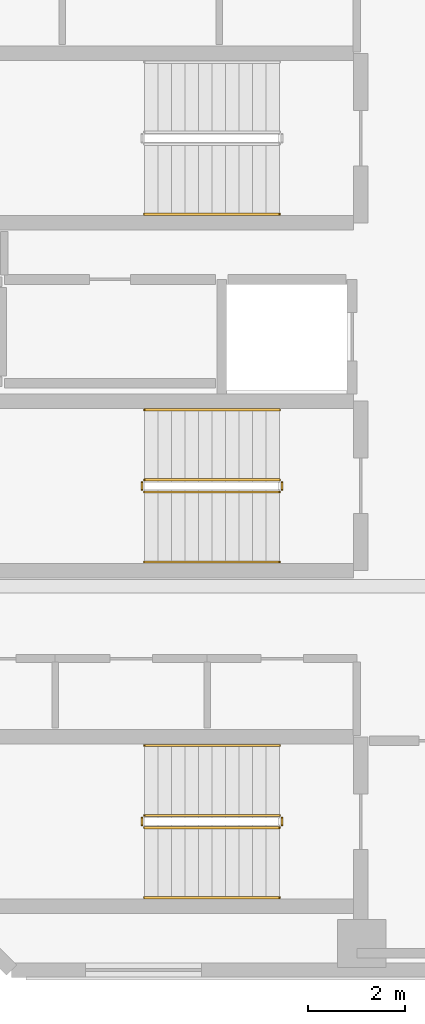
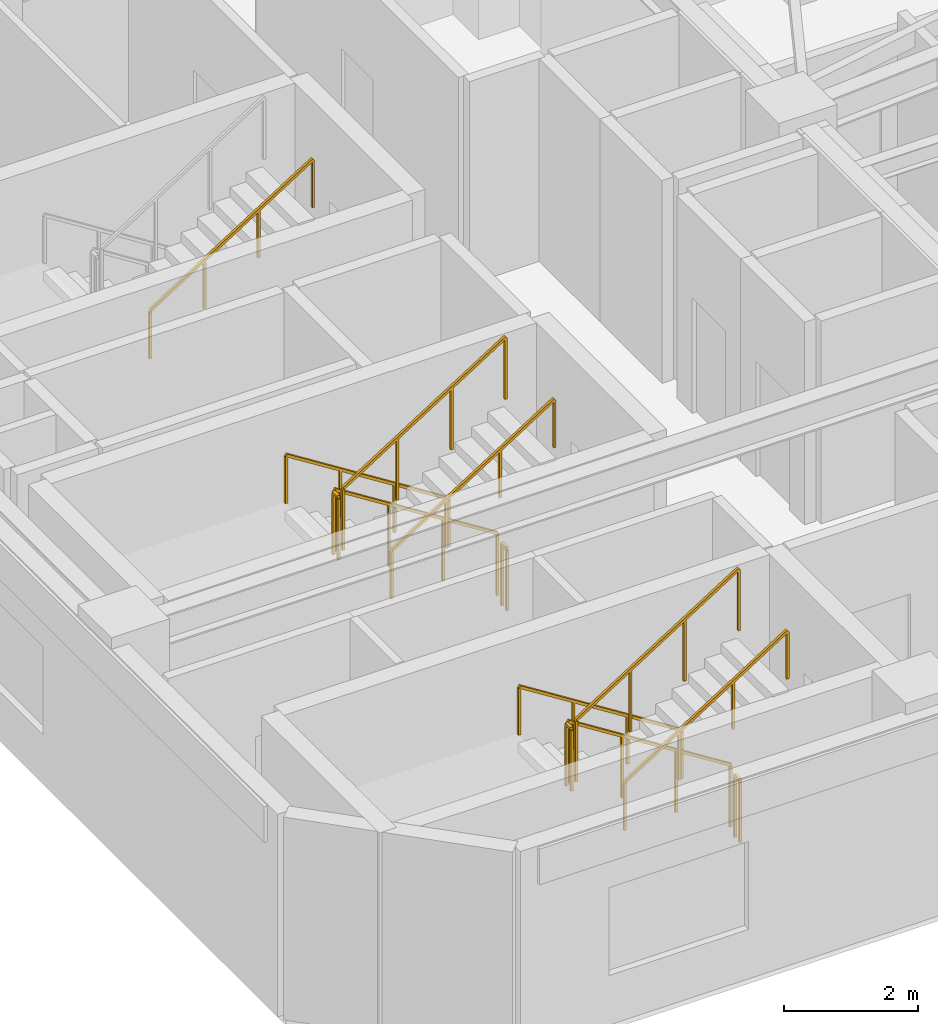
# One storey, part 6 of 11: 13 railings.
"""IFC4 building model written with IfcOpenShell, lengths in metres."""

from ifc_helpers import new_model, si_unit, direction, frame, origin, origin_2d, place, context, subcontext, project, spatial, rectangle, extrude, material, type_object, element, save


model = new_model("IFC4")

# Units and contexts
model_context = context("Model", 3, precision=1e-05, world=origin(), true_north=direction((0.0, 1.0)))
body_context = subcontext(model_context, "Body", "Model", "MODEL_VIEW")
ifc_project = project(units=[si_unit("LENGTHUNIT", "METRE"), si_unit("AREAUNIT", "SQUARE_METRE"), si_unit("VOLUMEUNIT", "CUBIC_METRE"), si_unit("PLANEANGLEUNIT", "RADIAN"), si_unit("MASSUNIT", "GRAM", prefix="KILO")], contexts=[model_context])

# Site, building, storey
site_placement = place(None, origin())
site = spatial("IfcSite", under=ifc_project, at=site_placement, CompositionType="ELEMENT")
building_placement = place(site_placement, origin())
building = spatial("IfcBuilding", under=site, at=building_placement, Name="Mawjaban Terraces University", CompositionType="ELEMENT")
storey_placement = place(building_placement, frame((0.0, 0.0, 214.800048828125)))
storey = spatial("IfcBuildingStorey", under=building, at=storey_placement, Name="L52", CompositionType="ELEMENT", Elevation=214.800048828125)

# Railings
ifc_material_1 = material(Name="Brushed stainless steel 316", Category="steel")
railing_type_1 = type_object("IfcRailingType", Name="StairWallHandrail_900", PredefinedType="HANDRAIL", material=ifc_material_1)
railing_1_placement = place(storey_placement, frame((30.050048828125, 4.64990234375, 0.17724609375)))
element("IfcRailing", 1, at=railing_1_placement, inside=storey, type_object=railing_type_1, Name="L52 ST-1 stair handrail 1", PredefinedType="HANDRAIL", context=body_context, shape_type="SweptSolid", body=[
    extrude(rectangle(XDim=0.048095703125, YDim=0.048095703125, at=origin_2d()), frame((0.0, 0.0, 0.8759765625), z_axis=(-0.844908973607, 0.0, 0.534910110503), x_axis=(0.0, -1.0, 0.0)), (0.0, 0.0, 1.0), 3.31396484375),
    extrude(rectangle(XDim=0.0419921875, YDim=0.0419921875, at=origin_2d()), origin(), (0.0, 0.0, 1.0), 0.851806640625),
    extrude(rectangle(XDim=0.0419921875, YDim=0.0419921875, at=origin_2d()), frame((-0.933349609375, 0.0, 0.5908203125)), (0.0, 0.0, 1.0), 0.851806640625),
    extrude(rectangle(XDim=0.0419921875, YDim=0.0419921875, at=origin_2d()), frame((-1.86669921875, 0.0, 1.181884765625)), (0.0, 0.0, 1.0), 0.851806640625),
    extrude(rectangle(XDim=0.0419921875, YDim=0.0419921875, at=origin_2d()), frame((-2.800048828125, 0.0, 1.772705078125)), (0.0, 0.0, 1.0), 0.851806640625),
])
for number, where, name in (
    (2, (27.25, 1.5, 2.127197265625), "L52 ST-1 stair handrail 2"),
    (3, (27.25, 15.64990234375, 2.127197265625), "L52 ST-2 stair handrail 2"),
):
    element("IfcRailing", number, at=place(storey_placement, frame(where)), inside=storey, type_object=railing_type_1, Name=name, PredefinedType="HANDRAIL", context=body_context, shape_type="SweptSolid", body=[
        extrude(rectangle(XDim=0.048095703125, YDim=0.048095703125, at=origin_2d()), frame((0.0, 0.0, 0.8759765625), z_axis=(0.844908973607, 0.0, 0.534910110503), x_axis=(0.0, 1.0, 0.0)), (0.0, 0.0, 1.0), 3.31396484375),
        extrude(rectangle(XDim=0.0419921875, YDim=0.0419921875, at=origin_2d()), origin(), (0.0, 0.0, 1.0), 0.851806640625),
        extrude(rectangle(XDim=0.0419921875, YDim=0.0419921875, at=origin_2d()), frame((0.933349609375, 0.0, 0.5908203125)), (0.0, 0.0, 1.0), 0.851806640625),
        extrude(rectangle(XDim=0.0419921875, YDim=0.0419921875, at=origin_2d()), frame((1.86669921875, 0.0, 1.181884765625)), (0.0, 0.0, 1.0), 0.851806640625),
        extrude(rectangle(XDim=0.0419921875, YDim=0.0419921875, at=origin_2d()), frame((2.800048828125, 0.0, 1.772705078125)), (0.0, 0.0, 1.0), 0.851806640625),
    ])
railing_2_placement = place(storey_placement, frame((30.050048828125, 11.60009765625, 0.17724609375)))
element("IfcRailing", 4, at=railing_2_placement, inside=storey, type_object=railing_type_1, Name="L52 ST-3 stair handrail 1", PredefinedType="HANDRAIL", context=body_context, shape_type="SweptSolid", body=[
    extrude(rectangle(XDim=0.048095703125, YDim=0.048095703125, at=origin_2d()), frame((0.0, 0.0, 0.8759765625), z_axis=(-0.844908973607, 0.0, 0.534910110503), x_axis=(0.0, -1.0, 0.0)), (0.0, 0.0, 1.0), 3.31396484375),
    extrude(rectangle(XDim=0.0419921875, YDim=0.0419921875, at=origin_2d()), origin(), (0.0, 0.0, 1.0), 0.851806640625),
    extrude(rectangle(XDim=0.0419921875, YDim=0.0419921875, at=origin_2d()), frame((-0.933349609375, 0.0, 0.5908203125)), (0.0, 0.0, 1.0), 0.851806640625),
    extrude(rectangle(XDim=0.0419921875, YDim=0.0419921875, at=origin_2d()), frame((-1.86669921875, 0.0, 1.181884765625)), (0.0, 0.0, 1.0), 0.851806640625),
    extrude(rectangle(XDim=0.0419921875, YDim=0.0419921875, at=origin_2d()), frame((-2.800048828125, 0.0, 1.772705078125)), (0.0, 0.0, 1.0), 0.851806640625),
])
railing_3_placement = place(storey_placement, frame((27.25, 8.449951171875, 2.127197265625)))
element("IfcRailing", 5, at=railing_3_placement, inside=storey, type_object=railing_type_1, Name="L52 ST-3 stair handrail 2", PredefinedType="HANDRAIL", context=body_context, shape_type="SweptSolid", body=[
    extrude(rectangle(XDim=0.048095703125, YDim=0.048095703125, at=origin_2d()), frame((0.0, 0.0, 0.8759765625), z_axis=(0.844908973607, 0.0, 0.534910110503), x_axis=(0.0, 1.0, 0.0)), (0.0, 0.0, 1.0), 3.31396484375),
    extrude(rectangle(XDim=0.0419921875, YDim=0.0419921875, at=origin_2d()), origin(), (0.0, 0.0, 1.0), 0.851806640625),
    extrude(rectangle(XDim=0.0419921875, YDim=0.0419921875, at=origin_2d()), frame((0.933349609375, 0.0, 0.5908203125)), (0.0, 0.0, 1.0), 0.851806640625),
    extrude(rectangle(XDim=0.0419921875, YDim=0.0419921875, at=origin_2d()), frame((1.86669921875, 0.0, 1.181884765625)), (0.0, 0.0, 1.0), 0.851806640625),
    extrude(rectangle(XDim=0.0419921875, YDim=0.0419921875, at=origin_2d()), frame((2.800048828125, 0.0, 1.772705078125)), (0.0, 0.0, 1.0), 0.851806640625),
])
ifc_material_2 = material(Name="Galvanised painted steel S355", Category="steel")
railing_type_2 = type_object("IfcRailingType", Name="StairWellGuard_1150", PredefinedType="BALUSTRADE", material=ifc_material_2)
railing_4_placement = place(storey_placement, frame((30.050048828125, 3.199951171875, 0.17724609375)))
element("IfcRailing", 6, at=railing_4_placement, inside=storey, type_object=railing_type_2, Name="L52 ST-1 stair guard 1", PredefinedType="BALUSTRADE", context=body_context, shape_type="SweptSolid", body=[
    extrude(rectangle(XDim=0.048095703125, YDim=0.048095703125, at=origin_2d()), frame((0.0, 0.0, 1.1259765625), z_axis=(-0.844908973607, 0.0, 0.534910110503), x_axis=(0.0, -1.0, 0.0)), (0.0, 0.0, 1.0), 3.31396484375),
    extrude(rectangle(XDim=0.0419921875, YDim=0.0419921875, at=origin_2d()), origin(), (0.0, 0.0, 1.0), 1.101806640625),
    extrude(rectangle(XDim=0.0419921875, YDim=0.0419921875, at=origin_2d()), frame((-0.933349609375, 0.0, 0.5908203125)), (0.0, 0.0, 1.0), 1.101806640625),
    extrude(rectangle(XDim=0.0419921875, YDim=0.0419921875, at=origin_2d()), frame((-1.86669921875, 0.0, 1.181884765625)), (0.0, 0.0, 1.0), 1.101806640625),
    extrude(rectangle(XDim=0.0419921875, YDim=0.0419921875, at=origin_2d()), frame((-2.800048828125, 0.0, 1.772705078125)), (0.0, 0.0, 1.0), 1.101806640625),
])
railing_5_placement = place(storey_placement, frame((27.199951171875, 3.14990234375, 1.949951171875)))
element("IfcRailing", 7, at=railing_5_placement, inside=storey, type_object=railing_type_2, Name="L52 ST-1 stair guard 2", PredefinedType="BALUSTRADE", context=body_context, shape_type="SweptSolid", body=[
    extrude(rectangle(XDim=0.048095703125, YDim=0.048095703125, at=origin_2d()), frame((0.0, 0.0, 1.1259765625), z_axis=(0.0, -1.0, 0.0), x_axis=(1.0, 0.0, 0.0)), (0.0, 0.0, 1.0), 0.14990234375),
    extrude(rectangle(XDim=0.0419921875, YDim=0.0419921875, at=origin_2d()), origin(), (0.0, 0.0, 1.0), 1.101806640625),
    extrude(rectangle(XDim=0.0419921875, YDim=0.0419921875, at=origin_2d()), frame((0.0, -0.14990234375, 0.0)), (0.0, 0.0, 1.0), 1.101806640625),
])
railing_6_placement = place(storey_placement, frame((27.25, 2.949951171875, 2.127197265625)))
element("IfcRailing", 8, at=railing_6_placement, inside=storey, type_object=railing_type_2, Name="L52 ST-1 stair guard 3", PredefinedType="BALUSTRADE", context=body_context, shape_type="SweptSolid", body=[
    extrude(rectangle(XDim=0.048095703125, YDim=0.048095703125, at=origin_2d()), frame((0.0, 0.0, 1.1259765625), z_axis=(0.844908973607, 0.0, 0.534910110503), x_axis=(0.0, 1.0, 0.0)), (0.0, 0.0, 1.0), 3.31396484375),
    extrude(rectangle(XDim=0.0419921875, YDim=0.0419921875, at=origin_2d()), origin(), (0.0, 0.0, 1.0), 1.101806640625),
    extrude(rectangle(XDim=0.0419921875, YDim=0.0419921875, at=origin_2d()), frame((0.933349609375, 0.0, 0.5908203125)), (0.0, 0.0, 1.0), 1.101806640625),
    extrude(rectangle(XDim=0.0419921875, YDim=0.0419921875, at=origin_2d()), frame((1.86669921875, 0.0, 1.181884765625)), (0.0, 0.0, 1.0), 1.101806640625),
    extrude(rectangle(XDim=0.0419921875, YDim=0.0419921875, at=origin_2d()), frame((2.800048828125, 0.0, 1.772705078125)), (0.0, 0.0, 1.0), 1.101806640625),
])
railing_7_placement = place(storey_placement, frame((30.10009765625, 3.14990234375, 0.0)))
element("IfcRailing", 9, at=railing_7_placement, inside=storey, type_object=railing_type_2, Name="L52 ST-1 stair guard 4", PredefinedType="BALUSTRADE", context=body_context, shape_type="SweptSolid", body=[
    extrude(rectangle(XDim=0.048095703125, YDim=0.048095703125, at=origin_2d()), frame((0.0, 0.0, 1.1259765625), z_axis=(0.0, -1.0, 0.0), x_axis=(1.0, 0.0, 0.0)), (0.0, 0.0, 1.0), 0.14990234375),
    extrude(rectangle(XDim=0.0419921875, YDim=0.0419921875, at=origin_2d()), origin(), (0.0, 0.0, 1.0), 1.101806640625),
    extrude(rectangle(XDim=0.0419921875, YDim=0.0419921875, at=origin_2d()), frame((0.0, -0.14990234375, 0.0)), (0.0, 0.0, 1.0), 1.101806640625),
])
railing_8_placement = place(storey_placement, frame((30.050048828125, 10.14990234375, 0.17724609375)))
element("IfcRailing", 10, at=railing_8_placement, inside=storey, type_object=railing_type_2, Name="L52 ST-3 stair guard 1", PredefinedType="BALUSTRADE", context=body_context, shape_type="SweptSolid", body=[
    extrude(rectangle(XDim=0.048095703125, YDim=0.048095703125, at=origin_2d()), frame((0.0, 0.0, 1.1259765625), z_axis=(-0.844908973607, 0.0, 0.534910110503), x_axis=(0.0, -1.0, 0.0)), (0.0, 0.0, 1.0), 3.31396484375),
    extrude(rectangle(XDim=0.0419921875, YDim=0.0419921875, at=origin_2d()), origin(), (0.0, 0.0, 1.0), 1.101806640625),
    extrude(rectangle(XDim=0.0419921875, YDim=0.0419921875, at=origin_2d()), frame((-0.933349609375, 0.0, 0.5908203125)), (0.0, 0.0, 1.0), 1.101806640625),
    extrude(rectangle(XDim=0.0419921875, YDim=0.0419921875, at=origin_2d()), frame((-1.86669921875, 0.0, 1.181884765625)), (0.0, 0.0, 1.0), 1.101806640625),
    extrude(rectangle(XDim=0.0419921875, YDim=0.0419921875, at=origin_2d()), frame((-2.800048828125, 0.0, 1.772705078125)), (0.0, 0.0, 1.0), 1.101806640625),
])
railing_9_placement = place(storey_placement, frame((27.199951171875, 10.10009765625, 1.949951171875)))
element("IfcRailing", 11, at=railing_9_placement, inside=storey, type_object=railing_type_2, Name="L52 ST-3 stair guard 2", PredefinedType="BALUSTRADE", context=body_context, shape_type="SweptSolid", body=[
    extrude(rectangle(XDim=0.048095703125, YDim=0.048095703125, at=origin_2d()), frame((0.0, 0.0, 1.1259765625), z_axis=(0.0, -1.0, 0.0), x_axis=(1.0, 0.0, 0.0)), (0.0, 0.0, 1.0), 0.150146484375),
    extrude(rectangle(XDim=0.0419921875, YDim=0.0419921875, at=origin_2d()), origin(), (0.0, 0.0, 1.0), 1.101806640625),
    extrude(rectangle(XDim=0.0419921875, YDim=0.0419921875, at=origin_2d()), frame((0.0, -0.150146484375, 0.0)), (0.0, 0.0, 1.0), 1.101806640625),
])
railing_10_placement = place(storey_placement, frame((27.25, 9.89990234375, 2.127197265625)))
element("IfcRailing", 12, at=railing_10_placement, inside=storey, type_object=railing_type_2, Name="L52 ST-3 stair guard 3", PredefinedType="BALUSTRADE", context=body_context, shape_type="SweptSolid", body=[
    extrude(rectangle(XDim=0.048095703125, YDim=0.048095703125, at=origin_2d()), frame((0.0, 0.0, 1.1259765625), z_axis=(0.844908973607, 0.0, 0.534910110503), x_axis=(0.0, 1.0, 0.0)), (0.0, 0.0, 1.0), 3.31396484375),
    extrude(rectangle(XDim=0.0419921875, YDim=0.0419921875, at=origin_2d()), origin(), (0.0, 0.0, 1.0), 1.101806640625),
    extrude(rectangle(XDim=0.0419921875, YDim=0.0419921875, at=origin_2d()), frame((0.933349609375, 0.0, 0.5908203125)), (0.0, 0.0, 1.0), 1.101806640625),
    extrude(rectangle(XDim=0.0419921875, YDim=0.0419921875, at=origin_2d()), frame((1.86669921875, 0.0, 1.181884765625)), (0.0, 0.0, 1.0), 1.101806640625),
    extrude(rectangle(XDim=0.0419921875, YDim=0.0419921875, at=origin_2d()), frame((2.800048828125, 0.0, 1.772705078125)), (0.0, 0.0, 1.0), 1.101806640625),
])
railing_11_placement = place(storey_placement, frame((30.10009765625, 10.10009765625, 0.0)))
element("IfcRailing", 13, at=railing_11_placement, inside=storey, type_object=railing_type_2, Name="L52 ST-3 stair guard 4", PredefinedType="BALUSTRADE", context=body_context, shape_type="SweptSolid", body=[
    extrude(rectangle(XDim=0.048095703125, YDim=0.048095703125, at=origin_2d()), frame((0.0, 0.0, 1.1259765625), z_axis=(0.0, -1.0, 0.0), x_axis=(1.0, 0.0, 0.0)), (0.0, 0.0, 1.0), 0.150146484375),
    extrude(rectangle(XDim=0.0419921875, YDim=0.0419921875, at=origin_2d()), origin(), (0.0, 0.0, 1.0), 1.101806640625),
    extrude(rectangle(XDim=0.0419921875, YDim=0.0419921875, at=origin_2d()), frame((0.0, -0.150146484375, 0.0)), (0.0, 0.0, 1.0), 1.101806640625),
])

save(model, "model.ifc")
